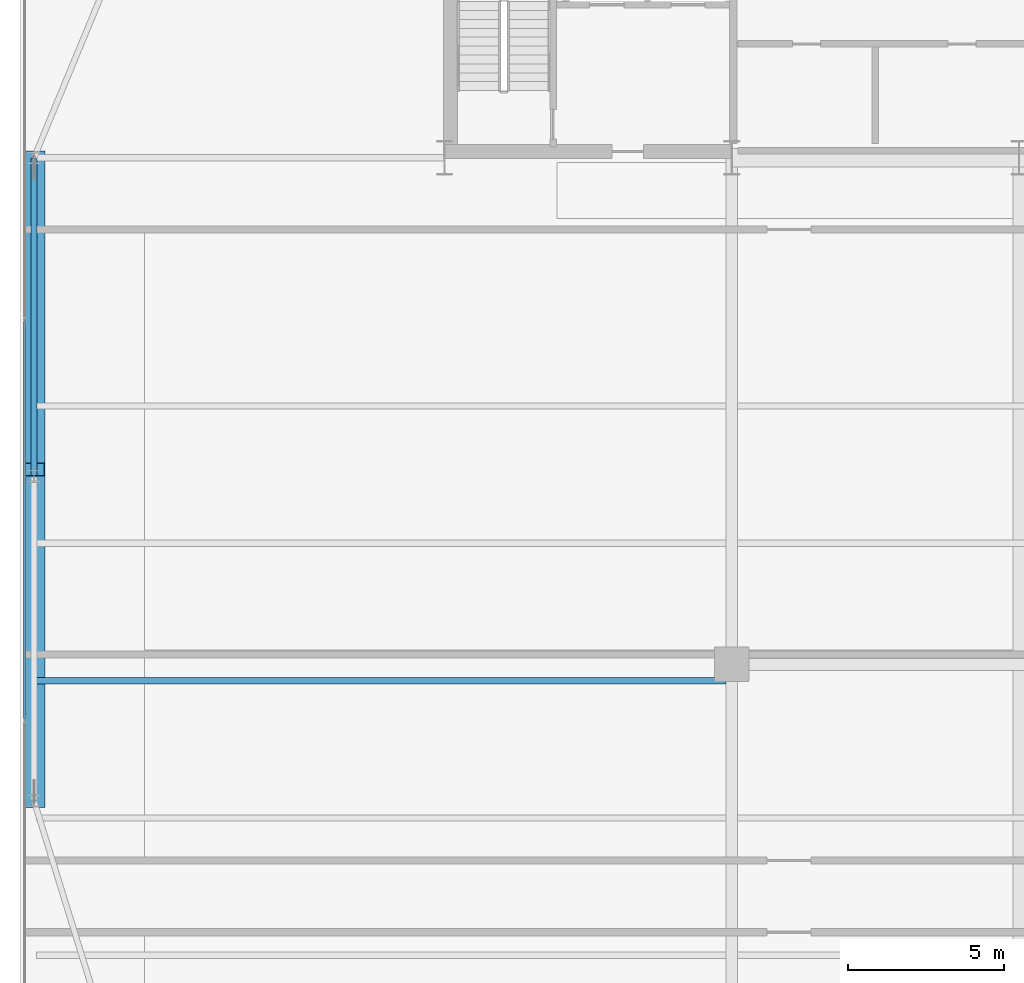
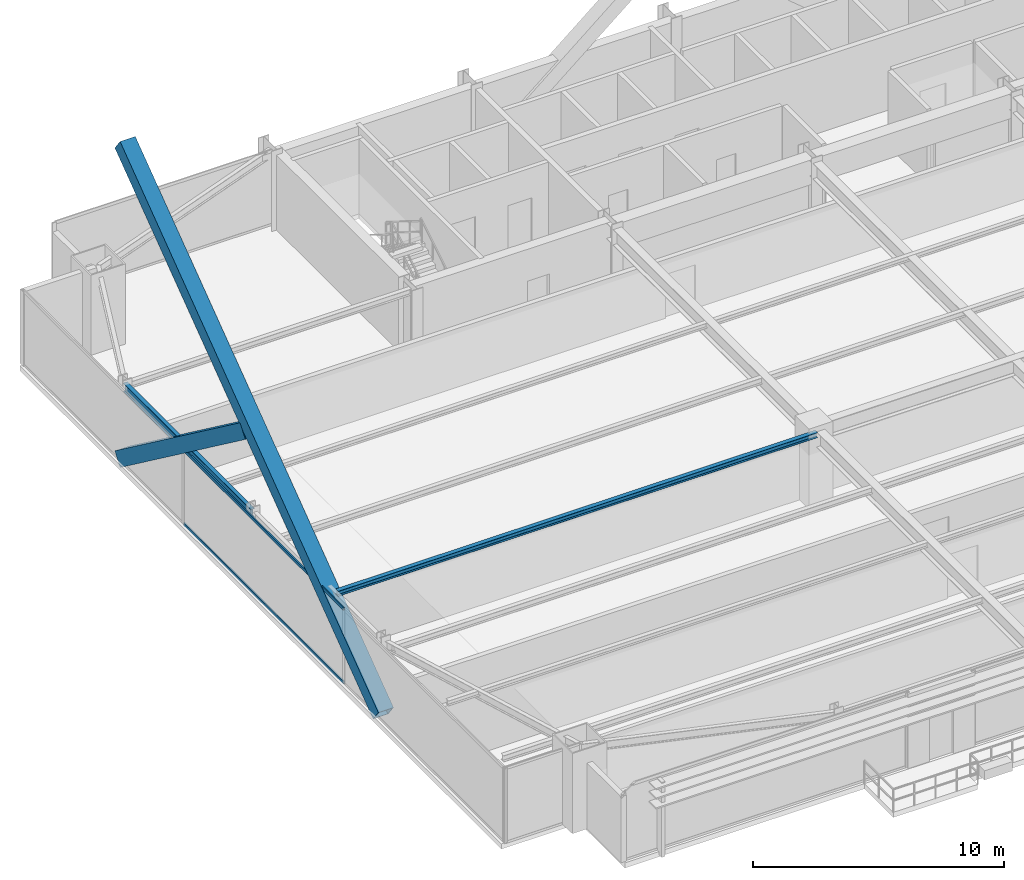
# One storey, part 10 of 32: 4 members, 2 beams, 1 element without a shape of its own.
"""IFC4 building model written with IfcOpenShell, lengths in metres."""

from ifc_helpers import new_model, si_unit, direction, frame, origin, origin_2d, place, context, subcontext, project, spatial, hollow_rectangle, i_section, extrude, source, transform, mapped, material, layer, layer_set, material_profile, profile_set, type_object, type_shapes, element, aggregate, save


model = new_model("IFC4")

# Units and contexts
model_context = context("Model", 3, precision=1e-05, world=origin(), true_north=direction((0.0, 1.0)))
body_context = subcontext(model_context, "Body", "Model", "MODEL_VIEW")
ifc_project = project(units=[si_unit("LENGTHUNIT", "METRE"), si_unit("AREAUNIT", "SQUARE_METRE"), si_unit("VOLUMEUNIT", "CUBIC_METRE"), si_unit("PLANEANGLEUNIT", "RADIAN"), si_unit("MASSUNIT", "GRAM", prefix="KILO")], contexts=[model_context])

# Site, building, storey
site_placement = place(None, origin())
site = spatial("IfcSite", under=ifc_project, at=site_placement, CompositionType="ELEMENT")
building_placement = place(site_placement, origin())
building = spatial("IfcBuilding", under=site, at=building_placement, Name="Varnel Quay Broadcast Tower", CompositionType="ELEMENT")
storey_placement = place(building_placement, frame((0.0, 0.0, 43.199951171875)))
storey = spatial("IfcBuildingStorey", under=building, at=storey_placement, Name="L09", CompositionType="ELEMENT", Elevation=43.199951171875)

# Beams
ifc_material_1 = material(Name="Structural Steel CSA G40.21 350W", Category="steel")
ifc_material_profile_1 = material_profile(ifc_material_1, i_section(OverallWidth=0.180908203125, OverallDepth=0.4169921875, WebThickness=0.010986328125, FlangeThickness=0.018310546875, FilletRadius=0.011962890625, at=origin_2d()), Name="W410X85")
ifc_profile_set_1 = profile_set([ifc_material_profile_1], Name="Structural Steel CSA G40.21 350W")
beam_type_1 = type_object("IfcBeamType", Name="Beam_W410X85", PredefinedType="SPANDREL", material=ifc_profile_set_1)
shared_shape_1 = source(origin(), body_context, "Body", "SweptSolid", [
    extrude(i_section(OverallWidth=0.180908203125, OverallDepth=0.4169921875, WebThickness=0.010986328125, FlangeThickness=0.018310546875, FilletRadius=0.011962890625, at=origin_2d()), origin(), (0.0, 0.0, 1.0), 10.16015625),
])
type_shapes(beam_type_1, [shared_shape_1])
beam_1_placement = place(storey_placement, frame((2.449951171875, 25.419921875, 3.441650390625), z_axis=(0.0, 1.0, 0.0), x_axis=(-1.0, 0.0, 0.0)))
element("IfcBeam", 1, at=beam_1_placement, inside=storey, type_object=beam_type_1, Name="L09 West Spandrel TC-W2-TC-W3", PredefinedType="SPANDREL", context=body_context, shape_type="MappedRepresentation", body=[
    mapped(shared_shape_1, transform((0.0, 0.0, 0.0), x_axis=(1.0, 0.0, 0.0), y_axis=(0.0, 1.0, 0.0), z_axis=(0.0, 0.0, 1.0), scale=1.0)),
])
ifc_material_profile_2 = material_profile(ifc_material_1, i_section(OverallWidth=0.201904296875, OverallDepth=0.2470703125, WebThickness=0.00732421875, FlangeThickness=0.010986328125, FilletRadius=0.010986328125, at=origin_2d()), Name="W250X49")
ifc_profile_set_2 = profile_set([ifc_material_profile_2], Name="Structural Steel CSA G40.21 350W")
beam_type_2 = type_object("IfcBeamType", Name="Beam_W250X49", PredefinedType="JOIST", material=ifc_profile_set_2)
shared_shape_2 = source(origin(), body_context, "Body", "SweptSolid", [
    extrude(i_section(OverallWidth=0.201904296875, OverallDepth=0.2470703125, WebThickness=0.00732421875, FlangeThickness=0.010986328125, FilletRadius=0.010986328125, at=origin_2d()), origin(), (0.0, 0.0, 1.0), 22.0791015625),
])
type_shapes(beam_type_2, [shared_shape_2])
beam_2_placement = place(storey_placement, frame((2.535400390625, 18.85009765625, 3.526611328125), z_axis=(1.0, 0.0, 0.0), x_axis=(0.0, 1.0, 0.0)))
element("IfcBeam", 2, at=beam_2_placement, inside=storey, type_object=beam_type_2, Name="L09 West Floor Joist 4", PredefinedType="JOIST", context=body_context, shape_type="MappedRepresentation", body=[
    mapped(shared_shape_2, transform((0.0, 0.0, 0.0), x_axis=(1.0, 0.0, 0.0), y_axis=(0.0, 1.0, 0.0), z_axis=(0.0, 0.0, 1.0), scale=1.0)),
])

# Members
ifc_material_2 = material(Name="Structural Steel CSA G40.21 350WT", Category="steel")
ifc_material_profile_3 = material_profile(ifc_material_2, hollow_rectangle(XDim=0.699951171875, YDim=0.699951171875, WallThickness=0.031982421875, at=origin_2d()), Name="BOX700X700X32")
ifc_profile_set_3 = profile_set([ifc_material_profile_3], Name="Structural Steel CSA G40.21 350WT")
member_type_1 = type_object("IfcMemberType", Name="Brace_BOX700X700X32", PredefinedType="BRACE", material=ifc_profile_set_3)
shared_shape_3 = source(origin(), body_context, "Body", "SweptSolid", [
    extrude(hollow_rectangle(XDim=0.699951171875, YDim=0.699951171875, WallThickness=0.031982421875, at=origin_2d()), origin(), (0.0, 0.0, 1.0), 25.666259765625),
])
member_1_placement = place(storey_placement, frame((2.449951171875, 15.0, 0.02001953125), z_axis=(0.0, 0.802610868941, 0.596502969865), x_axis=(-1.0, 0.0, 0.0)))
element("IfcMember", 3, at=member_1_placement, inside=storey, type_object=member_type_1, Name="Zone 1 Mega-Brace W-FT2 Continuous Diag A", PredefinedType="BRACE", context=body_context, shape_type="MappedRepresentation", body=[
    mapped(shared_shape_3, transform((0.0, 0.0, 0.0), x_axis=(1.0, 0.0, 0.0), y_axis=(0.0, 1.0, 0.0), z_axis=(0.0, 0.0, 1.0), scale=1.0)),
])
shared_shape_4 = source(origin(), body_context, "Body", "SweptSolid", [
    extrude(hollow_rectangle(XDim=0.699951171875, YDim=0.699951171875, WallThickness=0.031982421875, at=origin_2d()), origin(), (0.0, 0.0, 1.0), 12.44287109375),
])
type_shapes(member_type_1, [shared_shape_3, shared_shape_4])
member_2_placement = place(storey_placement, frame((2.449951171875, 35.60009765625, 0.02001953125), z_axis=(0.0, -0.802615286682, 0.59649702563), x_axis=(1.0, 0.0, 0.0)))
element("IfcMember", 4, at=member_2_placement, inside=storey, type_object=member_type_1, Name="Zone 1 Mega-Brace W-FT2 Split Diag B1", PredefinedType="BRACE", context=body_context, shape_type="MappedRepresentation", body=[
    mapped(shared_shape_4, transform((0.0, 0.0, 0.0), x_axis=(1.0, 0.0, 0.0), y_axis=(0.0, 1.0, 0.0), z_axis=(0.0, 0.0, 1.0), scale=1.0)),
])

# Curtain wall, members
ifc_material_3 = material(Name="Anodised Bronze Aluminium 6063-T6", Category="aluminium")
ifc_layer = layer(ifc_material_3, 0.18994140625, Name="Anodised Bronze Aluminium 6063-T6")
ifc_layer_set = layer_set([ifc_layer], Name="Anodised Bronze Aluminium 6063-T6")
curtain_wall_type = type_object("IfcCurtainWallType", Name="CW_LowerTower", PredefinedType="NOTDEFINED", material=ifc_layer_set)
curtain_wall_placement = place(storey_placement, origin())
curtain_wall = element("IfcCurtainWall", 5, at=curtain_wall_placement, inside=storey, type_object=curtain_wall_type, Name="L09 West Unitised Curtain Wall", PredefinedType="NOTDEFINED")
ifc_material_profile_4 = material_profile(ifc_material_3, hollow_rectangle(XDim=0.06005859375, YDim=0.14501953125, WallThickness=0.00341796875, at=origin_2d()), Name="ALU60X145X3.5")
ifc_profile_set_4 = profile_set([ifc_material_profile_4], Name="Anodised Bronze Aluminium 6063-T6")
member_type_2 = type_object("IfcMemberType", Name="Tran_CWS-02", PredefinedType="USERDEFINED", material=ifc_profile_set_4)
shared_shape_5 = source(origin(), body_context, "Body", "SweptSolid", [
    extrude(hollow_rectangle(XDim=0.06005859375, YDim=0.14501953125, WallThickness=0.00341796875, at=origin_2d()), origin(), (0.0, 0.0, 1.0), 12.72998046875),
])
type_shapes(member_type_2, [shared_shape_5])
member_3_placement = place(storey_placement, frame((2.14990234375, 17.635009765625, 0.030029296875), z_axis=(0.0, 1.0, 0.0), x_axis=(-1.0, 0.0, 0.0)))
member_3 = element("IfcMember", 6, at=member_3_placement, type_object=member_type_2, Name="CWS-02 transom 2.1", ObjectType="TRANSOM", PredefinedType="USERDEFINED", context=body_context, shape_type="MappedRepresentation", body=[
    mapped(shared_shape_5, transform((0.0, 0.0, 0.0), x_axis=(1.0, 0.0, 0.0), y_axis=(0.0, 1.0, 0.0), z_axis=(0.0, 0.0, 1.0), scale=1.0)),
])
member_4_placement = place(storey_placement, frame((2.14990234375, 17.635009765625, 3.6201171875), z_axis=(0.0, 1.0, 0.0), x_axis=(-1.0, 0.0, 0.0)))
member_4 = element("IfcMember", 7, at=member_4_placement, type_object=member_type_2, Name="CWS-02 transom 2.2", ObjectType="TRANSOM", PredefinedType="USERDEFINED", context=body_context, shape_type="MappedRepresentation", body=[
    mapped(shared_shape_5, transform((0.0, 0.0, 0.0), x_axis=(1.0, 0.0, 0.0), y_axis=(0.0, 1.0, 0.0), z_axis=(0.0, 0.0, 1.0), scale=1.0)),
])
aggregate(curtain_wall, [member_3, member_4])

save(model, "model.ifc")
